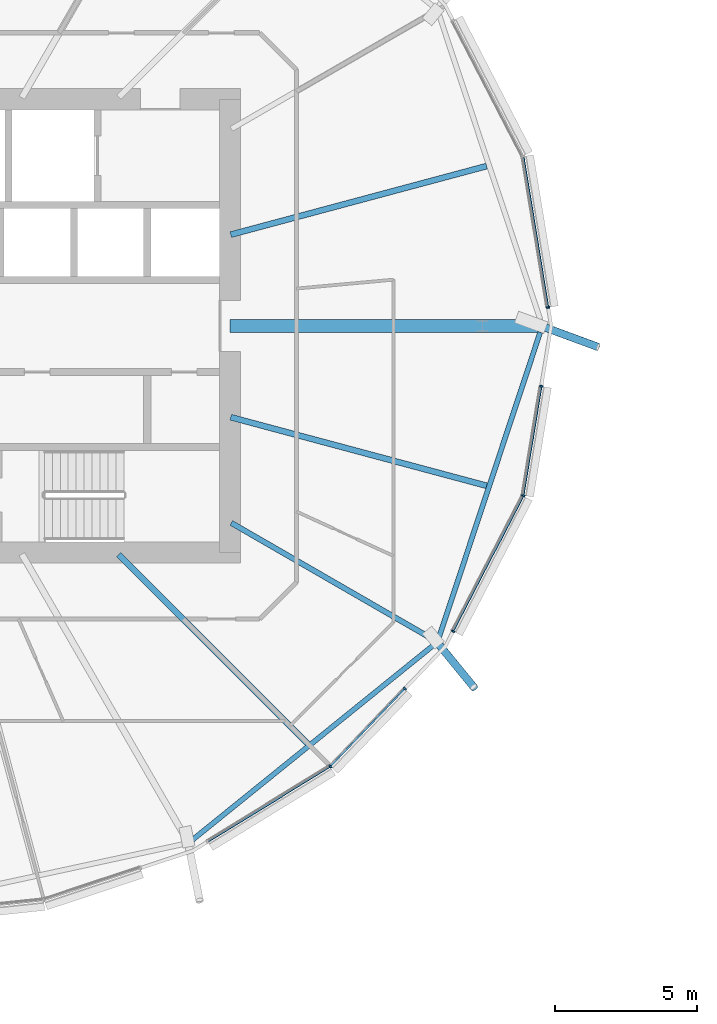
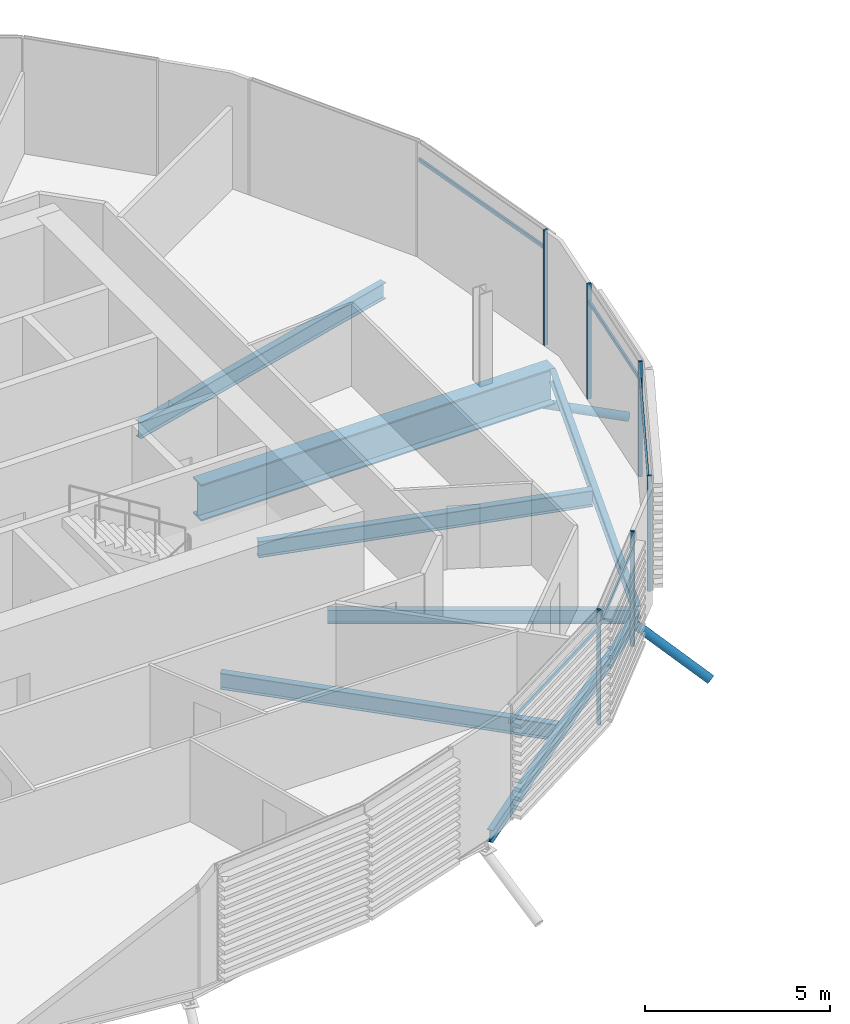
# One storey, part 7 of 38: 13 members, 7 beams, 1 element without a shape of its own.
"""IFC4 building model written with IfcOpenShell, lengths in metres."""

from ifc_helpers import new_model, si_unit, direction, frame, origin, origin_2d, place, context, subcontext, project, spatial, rectangle, hollow_circle, i_section, extrude, clip, halfspace, material, material_profile, profile_set, type_object, element, aggregate, save


model = new_model("IFC4")

# Units and contexts
model_context = context("Model", 3, precision=1e-05, world=origin(), true_north=direction((0.0, 1.0)))
body_context = subcontext(model_context, "Body", "Model", "MODEL_VIEW")
ifc_project = project(units=[si_unit("LENGTHUNIT", "METRE"), si_unit("AREAUNIT", "SQUARE_METRE"), si_unit("VOLUMEUNIT", "CUBIC_METRE"), si_unit("PLANEANGLEUNIT", "RADIAN"), si_unit("MASSUNIT", "GRAM", prefix="KILO")], contexts=[model_context])

# Site, building, storey
site_placement = place(None, origin())
site = spatial("IfcSite", under=ifc_project, at=site_placement, CompositionType="ELEMENT")
building_placement = place(site_placement, origin())
building = spatial("IfcBuilding", under=site, at=building_placement, Name="Rimbun Link Towers", CompositionType="ELEMENT")
storey_placement = place(building_placement, frame((0.0, 0.0, 108.199951171875)))
storey = spatial("IfcBuildingStorey", under=building, at=storey_placement, Name="L26", CompositionType="ELEMENT", Elevation=108.199951171875)

# Curtain wall, members
ifc_material_1 = material(Name="Aluminium 6063-T6 and low-iron glass", Category="aluminium")
curtain_wall_type = type_object("IfcCurtainWallType", Name="CW1-Z2 unitised vision wall (zone 2)", PredefinedType="NOTDEFINED", material=ifc_material_1)
curtain_wall_placement = place(storey_placement, origin())
curtain_wall = element("IfcCurtainWall", 1, at=curtain_wall_placement, inside=storey, type_object=curtain_wall_type, Name="CW1 L26 T1", PredefinedType="NOTDEFINED")
ifc_material_2 = material(Name="Aluminium 6063-T6", Category="aluminium")
ifc_material_profile_1 = material_profile(ifc_material_2, rectangle(XDim=0.1201171875, YDim=0.06005859375, at=origin_2d()), Name="MULLION 60X120")
ifc_profile_set_1 = profile_set([ifc_material_profile_1], Name="Aluminium 6063-T6")
member_type_1 = type_object("IfcMemberType", Name="CW1 mullion 60X120", PredefinedType="MULLION", material=ifc_profile_set_1)
member_1_placement = place(storey_placement, frame((-8.513671875, 0.651123046875, 0.0), z_axis=(0.0, 0.0, 1.0), x_axis=(0.986749974311, 0.162248230183, 0.0)))
member_1 = element("IfcMember", 2, at=member_1_placement, type_object=member_type_1, Name="CW1 mullion", PredefinedType="MULLION", context=body_context, shape_type="SweptSolid", body=[
    extrude(rectangle(XDim=0.1201171875, YDim=0.06005859375, at=origin_2d()), origin(), (0.0, 0.0, 1.0), 3.800048828125),
])
member_2_placement = place(storey_placement, frame((-16.205810546875, -15.55322265625, 0.0), z_axis=(0.0, 0.0, 1.0), x_axis=(0.627670379428, -0.77847921924, 0.0)))
member_2 = element("IfcMember", 3, at=member_2_placement, type_object=member_type_1, Name="CW1 mullion", PredefinedType="MULLION", context=body_context, shape_type="SweptSolid", body=[
    extrude(rectangle(XDim=0.1201171875, YDim=0.06005859375, at=origin_2d()), origin(), (0.0, 0.0, 1.0), 3.800048828125),
])
member_3_placement = place(storey_placement, frame((-13.57421875, -12.809326171875, 0.0), z_axis=(0.0, 0.0, 1.0), x_axis=(0.721844661886, -0.692055116379, 0.0)))
member_3 = element("IfcMember", 4, at=member_3_placement, type_object=member_type_1, Name="CW1 mullion", PredefinedType="MULLION", context=body_context, shape_type="SweptSolid", body=[
    extrude(rectangle(XDim=0.1201171875, YDim=0.06005859375, at=origin_2d()), origin(), (0.0, 0.0, 1.0), 3.800048828125),
])
member_4_placement = place(storey_placement, frame((-9.39306640625, -5.994140625, 0.0), z_axis=(0.0, 0.0, 1.0), x_axis=(0.949162565402, -0.314786315522, 0.0)))
member_4 = element("IfcMember", 5, at=member_4_placement, type_object=member_type_1, Name="CW1 mullion", PredefinedType="MULLION", context=body_context, shape_type="SweptSolid", body=[
    extrude(rectangle(XDim=0.1201171875, YDim=0.06005859375, at=origin_2d()), origin(), (0.0, 0.0, 1.0), 3.800048828125),
])
member_5_placement = place(storey_placement, frame((-11.869873046875, -10.782470703125, 0.0), z_axis=(0.0, 0.0, 1.0), x_axis=(0.888149178193, -0.459555260307, 0.0)))
member_5 = element("IfcMember", 6, at=member_5_placement, type_object=member_type_1, Name="CW1 mullion", PredefinedType="MULLION", context=body_context, shape_type="SweptSolid", body=[
    extrude(rectangle(XDim=0.1201171875, YDim=0.06005859375, at=origin_2d()), origin(), (0.0, 0.0, 1.0), 3.800048828125),
])
member_6_placement = place(storey_placement, frame((-8.757080078125, -2.13134765625, 0.0), z_axis=(0.0, 0.0, 1.0), x_axis=(0.986749974311, -0.162248230183, 0.0)))
member_6 = element("IfcMember", 7, at=member_6_placement, type_object=member_type_1, Name="CW1 mullion", PredefinedType="MULLION", context=body_context, shape_type="SweptSolid", body=[
    extrude(rectangle(XDim=0.1201171875, YDim=0.06005859375, at=origin_2d()), origin(), (0.0, 0.0, 1.0), 3.800048828125),
])
ifc_material_3 = material(Name="Aluminium 6063-T6", Category="aluminium")
ifc_material_profile_2 = material_profile(ifc_material_3, rectangle(XDim=0.06005859375, YDim=0.1201171875, at=origin_2d()), Name="TRANSOM 60X120")
ifc_profile_set_2 = profile_set([ifc_material_profile_2], Name="Aluminium 6063-T6")
member_type_2 = type_object("IfcMemberType", Name="CW1 transom 60X120", PredefinedType="USERDEFINED", material=ifc_profile_set_2)
member_7_placement = place(storey_placement, frame((-9.3876953125, 5.955078125, 3.199951171875), z_axis=(0.162228531044, -0.986753213177, 0.0), x_axis=(0.986753213177, 0.162228531044, 0.0)))
member_7 = element("IfcMember", 8, at=member_7_placement, type_object=member_type_2, Name="CW1 transom", ObjectType="TRANSOM", PredefinedType="USERDEFINED", context=body_context, shape_type="SweptSolid", body=[
    extrude(rectangle(XDim=0.06005859375, YDim=0.1201171875, at=origin_2d()), origin(), (0.0, 0.0, 1.0), 5.345458984375),
])
member_8_placement = place(storey_placement, frame((-16.238525390625, -15.57177734375, 3.199951171875), z_axis=(-0.852202434202, -0.523212204693, 0.0), x_axis=(0.523212204693, -0.852202434202, 0.0)))
member_8 = element("IfcMember", 9, at=member_8_placement, type_object=member_type_2, Name="CW1 transom", ObjectType="TRANSOM", PredefinedType="USERDEFINED", context=body_context, shape_type="SweptSolid", body=[
    extrude(rectangle(XDim=0.06005859375, YDim=0.1201171875, at=origin_2d()), origin(), (0.0, 0.0, 1.0), 5.01806640625),
])
member_9_placement = place(storey_placement, frame((-13.596435546875, -12.82958984375, 3.199951171875), z_axis=(-0.692043091562, -0.721856190263, 0.0), x_axis=(0.721856190263, -0.692043091562, 0.0)))
member_9 = element("IfcMember", 10, at=member_9_placement, type_object=member_type_2, Name="CW1 transom", ObjectType="TRANSOM", PredefinedType="USERDEFINED", context=body_context, shape_type="SweptSolid", body=[
    extrude(rectangle(XDim=0.06005859375, YDim=0.1201171875, at=origin_2d()), origin(), (0.0, 0.0, 1.0), 3.734130859375),
])
member_10_placement = place(storey_placement, frame((-9.412109375, -6.028564453125, 3.199951171875), z_axis=(-0.459538981862, -0.888157600963, 0.0), x_axis=(0.888157600963, -0.459538981862, 0.0)))
member_10 = element("IfcMember", 11, at=member_10_placement, type_object=member_type_2, Name="CW1 transom", ObjectType="TRANSOM", PredefinedType="USERDEFINED", context=body_context, shape_type="SweptSolid", body=[
    extrude(rectangle(XDim=0.06005859375, YDim=0.1201171875, at=origin_2d()), origin(), (0.0, 0.0, 1.0), 5.32177734375),
])
member_11_placement = place(storey_placement, frame((-8.763916015625, -2.16064453125, 3.199951171875), z_axis=(-0.162215915501, -0.98675528717, 0.0), x_axis=(0.98675528717, -0.162215915501, 0.0)))
member_11 = element("IfcMember", 12, at=member_11_placement, type_object=member_type_2, Name="CW1 transom", ObjectType="TRANSOM", PredefinedType="USERDEFINED", context=body_context, shape_type="SweptSolid", body=[
    extrude(rectangle(XDim=0.06005859375, YDim=0.1201171875, at=origin_2d()), origin(), (0.0, 0.0, 1.0), 3.845458984375),
])
aggregate(curtain_wall, [member_1, member_2, member_3, member_4, member_5, member_6, member_7, member_8, member_9, member_10, member_11])

# Members
ifc_material_4 = material(Name="Steel S355J2H", Category="steel")
ifc_material_profile_3 = material_profile(ifc_material_4, hollow_circle(Radius=0.136474609375, WallThickness=0.012451171875, at=origin_2d()), Name="CHS 273x12.5")
ifc_profile_set_3 = profile_set([ifc_material_profile_3], Name="Steel S355J2H")
member_type_3 = type_object("IfcMemberType", Name="Floor edge link CHS 273x12.5", PredefinedType="BRACE", material=ifc_profile_set_3)
member_12_placement = place(storey_placement, frame((-8.770751953125, 0.0, -1.49072265625), z_axis=(0.89795914579, -0.331099516884, -0.289900814783), x_axis=(0.345956011371, 0.938250733118, 0.0)))
element("IfcMember", 13, at=member_12_placement, inside=storey, type_object=member_type_3, Name="Floor edge link T1 L26 00", PredefinedType="BRACE", context=body_context, shape_type="Clipping", body=[
    clip(extrude(hollow_circle(Radius=0.136474609375, WallThickness=0.012451171875, at=origin_2d()), frame((0.0, 0.0, -0.935791015625)), (0.0, 0.0, 1.0), 3.199462890625), halfspace(frame((0.0, 0.0, -0.444091796875), z_axis=(0.0, 0.957056695075, -0.289900814783)), False)),
])
member_13_placement = place(storey_placement, frame((-12.465087890625, -11.13427734375, -0.730712890625), z_axis=(0.546127519896, -0.667653726873, -0.505947856014), x_axis=(0.774033783252, 0.633144298233, 0.0)))
element("IfcMember", 14, at=member_13_placement, inside=storey, type_object=member_type_3, Name="Floor edge link T1 L26 22", PredefinedType="BRACE", context=body_context, shape_type="Clipping", body=[
    clip(extrude(hollow_circle(Radius=0.136474609375, WallThickness=0.012451171875, at=origin_2d()), frame((0.0, 0.0, -0.4853515625)), (0.0, 0.0, 1.0), 2.958251953125), halfspace(frame((0.0, 0.0, -0.22802734375), z_axis=(0.0, 0.862564065444, -0.505947856014)), False)),
])

# Beams
ifc_material_5 = material(Name="Steel S355J2", Category="steel")
ifc_material_profile_4 = material_profile(ifc_material_5, i_section(OverallWidth=0.449951171875, OverallDepth=1.199951171875, WebThickness=0.030029296875, FlangeThickness=0.044921875, at=origin_2d()), Name="PG 1200x450x30/45")
ifc_profile_set_4 = profile_set([ifc_material_profile_4], Name="Steel S355J2")
beam_type_1 = type_object("IfcBeamType", Name="PG 1200x450x30/45", PredefinedType="BEAM", material=ifc_profile_set_4)
beam_1_placement = place(storey_placement, frame((-19.7490234375, 0.0, -0.760009765625), z_axis=(1.0, 0.0, 0.0), x_axis=(0.0, 1.0, 0.0)))
element("IfcBeam", 15, at=beam_1_placement, inside=storey, type_object=beam_type_1, Name="Radial beam T1 L26 00", PredefinedType="BEAM", context=body_context, shape_type="SweptSolid", body=[
    extrude(i_section(OverallWidth=0.449951171875, OverallDepth=1.199951171875, WebThickness=0.030029296875, FlangeThickness=0.044921875, at=origin_2d()), origin(), (0.0, 0.0, 1.0), 11.0283203125),
])
ifc_material_6 = material(Name="Steel S355J2", Category="steel")
ifc_material_profile_5 = material_profile(ifc_material_6, i_section(OverallWidth=0.177978515625, OverallDepth=0.406494140625, WebThickness=0.0078125, FlangeThickness=0.0126953125, at=origin_2d()), Name="UB 406x178x60")
ifc_profile_set_5 = profile_set([ifc_material_profile_5], Name="Steel S355J2")
beam_type_2 = type_object("IfcBeamType", Name="UB 406x178x60", PredefinedType="BEAM", material=ifc_profile_set_5)
beam_2_placement = place(storey_placement, frame((-21.119140625, -18.183349609375, -0.363037109375), z_axis=(0.777963970016, 0.628308890083, 0.0), x_axis=(-0.628308890083, 0.777963970016, 0.0)))
element("IfcBeam", 16, at=beam_2_placement, inside=storey, type_object=beam_type_2, Name="Edge beam T1 L26 20-22", PredefinedType="BEAM", context=body_context, shape_type="SweptSolid", body=[
    extrude(i_section(OverallWidth=0.177978515625, OverallDepth=0.406494140625, WebThickness=0.0078125, FlangeThickness=0.0126953125, at=origin_2d()), origin(), (0.0, 0.0, 1.0), 11.076904296875),
])
beam_3_placement = place(storey_placement, frame((-12.390869140625, -11.066162109375, -0.363037109375), z_axis=(0.314790900129, 0.949161044921, 0.0), x_axis=(-0.949161044921, 0.314790900129, 0.0)))
element("IfcBeam", 17, at=beam_3_placement, inside=storey, type_object=beam_type_2, Name="Edge beam T1 L26 22-00", PredefinedType="BEAM", context=body_context, shape_type="SweptSolid", body=[
    extrude(i_section(OverallWidth=0.177978515625, OverallDepth=0.406494140625, WebThickness=0.0078125, FlangeThickness=0.0126953125, at=origin_2d()), origin(), (0.0, 0.0, 1.0), 11.4208984375),
])
ifc_material_7 = material(Name="Steel S355J2", Category="steel")
ifc_material_profile_6 = material_profile(ifc_material_7, i_section(OverallWidth=0.18994140625, OverallDepth=0.453369140625, WebThickness=0.008544921875, FlangeThickness=0.0126953125, at=origin_2d()), Name="UB 457x191x67")
ifc_profile_set_6 = profile_set([ifc_material_profile_6], Name="Steel S355J2")
beam_type_3 = type_object("IfcBeamType", Name="UB 457x191x67", PredefinedType="BEAM", material=ifc_profile_set_6)
beam_4_placement = place(storey_placement, frame((-19.70166015625, -6.9560546875, -0.38671875), z_axis=(0.866025500329, -0.49999983278, 0.0), x_axis=(0.49999983278, 0.866025500329, 0.0)))
element("IfcBeam", 18, at=beam_4_placement, inside=storey, type_object=beam_type_3, Name="Radial beam T1 L26 22", PredefinedType="BEAM", context=body_context, shape_type="SweptSolid", body=[
    extrude(i_section(OverallWidth=0.18994140625, OverallDepth=0.453369140625, WebThickness=0.008544921875, FlangeThickness=0.0126953125, at=origin_2d()), origin(), (0.0, 0.0, 1.0), 8.40625),
])
ifc_material_8 = material(Name="Steel S355J2", Category="steel")
ifc_material_profile_7 = material_profile(ifc_material_8, i_section(OverallWidth=0.209228515625, OverallDepth=0.533203125, WebThickness=0.010009765625, FlangeThickness=0.015625, at=origin_2d()), Name="UB 533x210x92")
ifc_profile_set_7 = profile_set([ifc_material_profile_7], Name="Steel S355J2")
beam_type_4 = type_object("IfcBeamType", Name="UB 533x210x92", PredefinedType="BEAM", material=ifc_profile_set_7)
beam_5_placement = place(storey_placement, frame((-19.721923828125, 3.222900390625, -0.426513671875), z_axis=(0.965924050136, 0.258825673706, 0.0), x_axis=(-0.258825673706, 0.965924050136, 0.0)))
element("IfcBeam", 19, at=beam_5_placement, inside=storey, type_object=beam_type_4, Name="Radial beam T1 L26 01", PredefinedType="BEAM", context=body_context, shape_type="SweptSolid", body=[
    extrude(i_section(OverallWidth=0.209228515625, OverallDepth=0.533203125, WebThickness=0.010009765625, FlangeThickness=0.015625, at=origin_2d()), origin(), (0.0, 0.0, 1.0), 9.353515625),
])
beam_6_placement = place(storey_placement, frame((-23.67529296875, -8.07470703125, -0.426513671875), z_axis=(0.707106781187, -0.707106781187, 0.0), x_axis=(0.707106781187, 0.707106781187, 0.0)))
element("IfcBeam", 20, at=beam_6_placement, inside=storey, type_object=beam_type_4, Name="Radial beam T1 L26 21", PredefinedType="BEAM", context=body_context, shape_type="SweptSolid", body=[
    extrude(i_section(OverallWidth=0.209228515625, OverallDepth=0.533203125, WebThickness=0.010009765625, FlangeThickness=0.015625, at=origin_2d()), origin(), (0.0, 0.0, 1.0), 9.433349609375),
])
beam_7_placement = place(storey_placement, frame((-19.721923828125, -3.222900390625, -0.426513671875), z_axis=(0.965924050136, -0.258825673706, 0.0), x_axis=(0.258825673706, 0.965924050136, 0.0)))
element("IfcBeam", 21, at=beam_7_placement, inside=storey, type_object=beam_type_4, Name="Radial beam T1 L26 23", PredefinedType="BEAM", context=body_context, shape_type="SweptSolid", body=[
    extrude(i_section(OverallWidth=0.209228515625, OverallDepth=0.533203125, WebThickness=0.010009765625, FlangeThickness=0.015625, at=origin_2d()), origin(), (0.0, 0.0, 1.0), 9.353515625),
])

save(model, "model.ifc")
